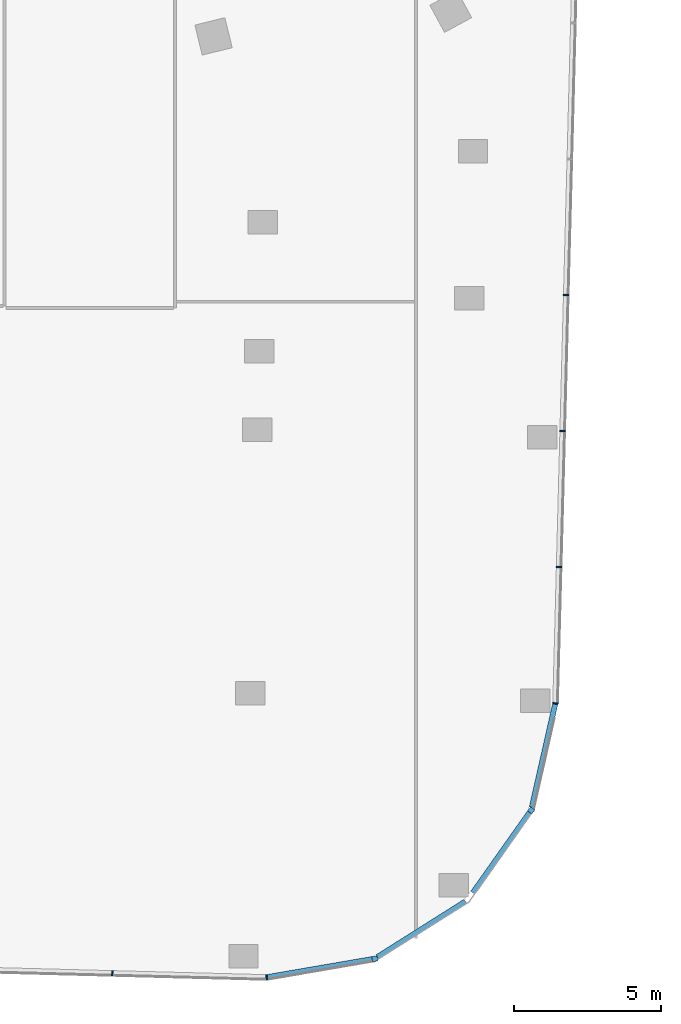
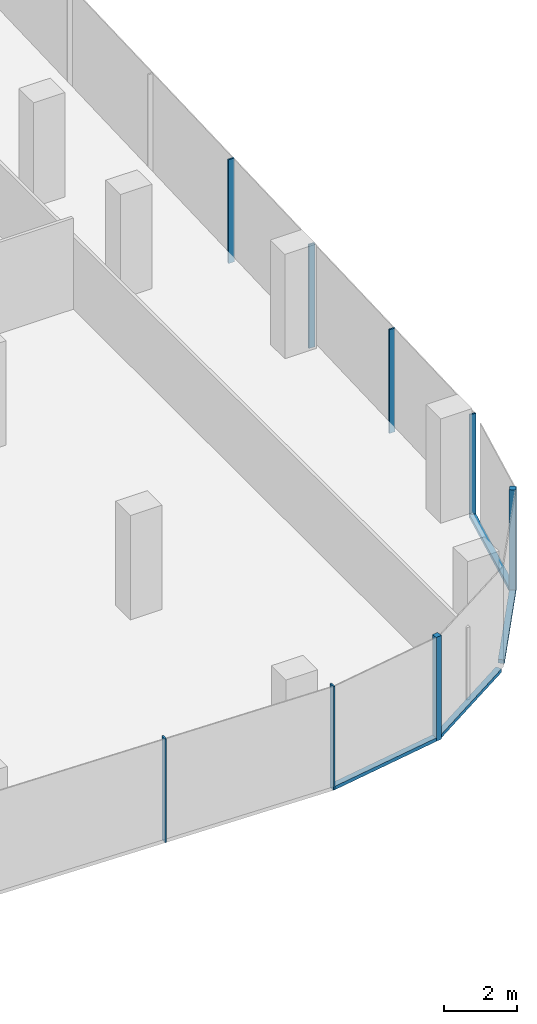
# One storey, part 5 of 26: 12 members, 6 elements without a shape of their own.
"""IFC4 building model written with IfcOpenShell, lengths in metres."""

import ifcopenshell
import ifcopenshell.guid

model = None  # the IFC model being written
_history = None  # IfcOwnerHistory: only IFC2X3 demands one
_inside = {}  # id of a spatial element -> (the spatial element, [elements in it])
_under = {}  # id of a project, library or spatial element -> (it, [spatial elements below it])
_declared = {}  # id of a project -> (the project, [libraries it declares])
_typed = {}  # id of a type object -> (the type object, [elements of that type])
_made_of = {}  # id of a material, layer set ... -> (it, [elements and type objects made of it])


def new_model(schema):
    """Start an empty IFC model of exactly this schema.

    Asked for "IFC4X3", IfcOpenShell would pick the latest addendum, in which some entities
    have other attributes; the version numbers below select the first issue.
    IFC2X3 requires an IfcOwnerHistory on every rooted entity: one is made here for all.
    """
    global model, _history
    if schema == "IFC4X3":
        model = ifcopenshell.file(schema_version=(4, 3, 0, 0))
    else:
        model = ifcopenshell.file(schema=schema)
    _inside.clear()
    _under.clear()
    _declared.clear()
    _typed.clear()
    _made_of.clear()
    _history = None
    if model.schema == "IFC2X3":
        org = make("IfcOrganization", Name="unknown")
        user = make(
            "IfcPersonAndOrganization",
            ThePerson=make("IfcPerson", FamilyName="unknown"),
            TheOrganization=org,
        )
        app = make(
            "IfcApplication",
            ApplicationDeveloper=org,
            Version="unknown",
            ApplicationFullName="unknown",
            ApplicationIdentifier="unknown",
        )
        _history = make(
            "IfcOwnerHistory",
            OwningUser=user,
            OwningApplication=app,
            ChangeAction="ADDED",
            CreationDate=0,
        )
    return model


def make(cls, **values):
    """One entity of the class cls with the attributes given. An attribute that is None is left unset."""
    return model.create_entity(
        cls, **{name: value for name, value in values.items() if value is not None}
    )


def rooted(cls, **values):
    """An entity with a GlobalId (a new one), such as an element, a storey or a relation."""
    return make(cls, GlobalId=ifcopenshell.guid.new(), OwnerHistory=_history, **values)


def si_unit(unit_type, name, prefix=None):
    """IfcSIUnit, for example si_unit("LENGTHUNIT", "METRE", prefix="MILLI")."""
    return make("IfcSIUnit", UnitType=unit_type, Prefix=prefix, Name=name)


def assignment(units):
    """IfcUnitAssignment: the units of a project."""
    return None if units is None else make("IfcUnitAssignment", Units=units)


def point(xyz):
    """IfcCartesianPoint."""
    return None if xyz is None else make("IfcCartesianPoint", Coordinates=xyz)


def direction(xyz):
    """IfcDirection."""
    return None if xyz is None else make("IfcDirection", DirectionRatios=xyz)


def frame(location, z_axis=None, x_axis=None):
    """IfcAxis2Placement3D, a coordinate frame: its origin and axes. An axis left out is left unset."""
    return make(
        "IfcAxis2Placement3D",
        Location=point(location),
        Axis=direction(z_axis),
        RefDirection=direction(x_axis),
    )


def frame_2d(location, x_axis=None):
    """IfcAxis2Placement2D, a coordinate frame in the plane: its origin and x axis."""
    return make(
        "IfcAxis2Placement2D", Location=point(location), RefDirection=direction(x_axis)
    )


def origin():
    """The frame at (0, 0, 0) with its axes left unset."""
    return frame((0.0, 0.0, 0.0))


def origin_2d():
    """The frame at (0, 0) in the plane with its x axis left unset."""
    return frame_2d((0.0, 0.0))


def place(relative_to, where):
    """IfcLocalPlacement: puts the frame where relative to a parent placement (None: the world)."""
    return make(
        "IfcLocalPlacement", PlacementRelTo=relative_to, RelativePlacement=where
    )


def context(
    kind, dimensions, precision=None, world=None, true_north=None, identifier=None
):
    """IfcGeometricRepresentationContext, for example the 3D "Model" context."""
    return make(
        "IfcGeometricRepresentationContext",
        ContextIdentifier=identifier,
        ContextType=kind,
        CoordinateSpaceDimension=dimensions,
        Precision=precision,
        WorldCoordinateSystem=world,
        TrueNorth=true_north,
    )


def subcontext(parent, identifier, kind, view, scale=None):
    """IfcGeometricRepresentationSubContext, for example "Body" below "Model"."""
    return make(
        "IfcGeometricRepresentationSubContext",
        ContextIdentifier=identifier,
        ContextType=kind,
        ParentContext=parent,
        TargetScale=scale,
        TargetView=view,
    )


def project(units=None, contexts=None):
    """IfcProject with its units and contexts."""
    return rooted(
        "IfcProject",
        Name="project",
        RepresentationContexts=contexts,
        UnitsInContext=assignment(units),
    )


def spatial(cls, under=None, at=None, **own):
    """A site, building, storey or space (cls), placed at a placement, below another one or the project."""
    s = rooted(cls, ObjectPlacement=at, **own)
    if under is not None:
        _under.setdefault(under.id(), (under, []))[1].append(s)
    return s


def profile(cls, at=None, kind="AREA", **sizes):
    """A parametric profile (cls). Its sizes go by their IFC names, for example OverallWidth=200.0."""
    return make(cls, ProfileType=kind, Position=at, **sizes)


def rectangle(**sizes):
    """IfcRectangleProfileDef."""
    return profile("IfcRectangleProfileDef", **sizes)


def extrude(swept, where, along, depth):
    """IfcExtrudedAreaSolid: the profile swept, set in the frame where, extruded along a direction by depth."""
    return make(
        "IfcExtrudedAreaSolid",
        SweptArea=swept,
        Position=where,
        ExtrudedDirection=direction(along),
        Depth=depth,
    )


def shape(context_of_items, identifier, shape_type, items):
    """IfcShapeRepresentation: the items that make up one representation, for example the "Body"."""
    return make(
        "IfcShapeRepresentation",
        ContextOfItems=context_of_items,
        RepresentationIdentifier=identifier,
        RepresentationType=shape_type,
        Items=items,
    )


def material(Name=None, Category=None):
    """IfcMaterial."""
    return make("IfcMaterial", Name=Name, Category=Category)


def material_profile(
    of_material, cross_section, Name=None, Category=None, Priority=None
):
    """IfcMaterialProfile: a cross section and its material."""
    return make(
        "IfcMaterialProfile",
        Name=Name,
        Material=of_material,
        Profile=cross_section,
        Priority=Priority,
        Category=Category,
    )


def profile_set(profiles, Name=None, composite=None):
    """IfcMaterialProfileSet."""
    return make(
        "IfcMaterialProfileSet",
        Name=Name,
        MaterialProfiles=profiles,
        CompositeProfile=composite,
    )


def made_of(thing, what):
    """Note that an element or type object is made of a material, layer set ...; save() writes the relation."""
    if what is not None:
        _made_of.setdefault(what.id(), (what, []))[1].append(thing)
    return thing


def type_object(cls, material=None, **own):
    """A type object (cls), such as IfcWallType, which elements share."""
    return made_of(rooted(cls, **own), material)


def element(
    cls,
    number,
    at=None,
    inside=None,
    cuts=None,
    type_object=None,
    material=None,
    context=None,
    identifier="Body",
    shape_type=None,
    held_by="IfcProductDefinitionShape",
    body=None,
    shapes=None,
    **own,
):
    """One element of the class cls, such as IfcWall. Its Tag is "e" and its number.

    at: its placement. inside: the storey or other place that contains it. cuts: it is an
    opening in that element (IfcRelVoidsElement). A single representation is given by context,
    identifier, shape_type and body (its items); several are given by shapes. held_by: the class
    of the entity that holds the representations. save() writes the other relations.
    """
    e = rooted(cls, Tag="e%d" % number, ObjectPlacement=at, **own)
    if body is not None:
        shapes = [shape(context, identifier, shape_type, body)]
    if shapes is not None:
        e.Representation = make(held_by, Representations=shapes)
    if inside is not None:
        _inside.setdefault(inside.id(), (inside, []))[1].append(e)
    if cuts is not None:
        rooted(
            "IfcRelVoidsElement", RelatingBuildingElement=cuts, RelatedOpeningElement=e
        )
    if type_object is not None:
        _typed.setdefault(type_object.id(), (type_object, []))[1].append(e)
    return made_of(e, material)


def aggregate(whole, parts):
    """IfcRelAggregates: a whole, such as a stair, and the parts it consists of."""
    return rooted("IfcRelAggregates", RelatingObject=whole, RelatedObjects=parts)


def save(model, path):
    """Write the relations noted so far, then the file.

    IfcRelAggregates (storeys below a building ...), IfcRelContainedInSpatialStructure (elements
    in a storey), IfcRelDefinesByType, IfcRelAssociatesMaterial and IfcRelDeclares: one each for
    every whole, place, type object, material and project.
    """
    for whole, parts in _under.values():
        aggregate(whole, parts)
    for where, things in _inside.values():
        rooted(
            "IfcRelContainedInSpatialStructure",
            RelatedElements=things,
            RelatingStructure=where,
        )
    for kind, things in _typed.values():
        rooted("IfcRelDefinesByType", RelatedObjects=things, RelatingType=kind)
    for what, things in _made_of.values():
        rooted("IfcRelAssociatesMaterial", RelatedObjects=things, RelatingMaterial=what)
    for by, libraries in _declared.values():
        rooted("IfcRelDeclares", RelatingContext=by, RelatedDefinitions=libraries)
    model.write(path)


model = new_model("IFC4")

# Units and contexts
model_context = context("Model", 3, precision=1e-05, world=origin(), true_north=direction((0.0, 1.0)))
body_context = subcontext(model_context, "Body", "Model", "MODEL_VIEW")
ifc_project = project(units=[si_unit("LENGTHUNIT", "METRE"), si_unit("AREAUNIT", "SQUARE_METRE"), si_unit("VOLUMEUNIT", "CUBIC_METRE"), si_unit("PLANEANGLEUNIT", "RADIAN"), si_unit("MASSUNIT", "GRAM", prefix="KILO")], contexts=[model_context])

# Site, building, storey
site_placement = place(None, origin())
site = spatial("IfcSite", under=ifc_project, at=site_placement, CompositionType="ELEMENT")
building_placement = place(site_placement, origin())
building = spatial("IfcBuilding", under=site, at=building_placement, Name="Orlundy Tower", CompositionType="ELEMENT")
storey_placement = place(building_placement, frame((0.0, 0.0, 214.0)))
storey = spatial("IfcBuildingStorey", under=building, at=storey_placement, Name="L56", CompositionType="ELEMENT", Elevation=214.0)

# Curtain wall, member
ifc_material_1 = material(Name="Aluminium bronze anodised", Category="aluminium")
curtain_wall_type = type_object("IfcCurtainWallType", Name="CW1 wall", PredefinedType="NOTDEFINED", material=ifc_material_1)
curtain_wall_1_placement = place(storey_placement, origin())
curtain_wall_1 = element("IfcCurtainWall", 1, at=curtain_wall_1_placement, inside=storey, type_object=curtain_wall_type, Name="CW1 run 020", PredefinedType="NOTDEFINED")
ifc_material_2 = material(Name="Aluminium bronze anodised", Category="aluminium")
ifc_material_profile_1 = material_profile(ifc_material_2, rectangle(XDim=0.179931640625, YDim=0.179931640625, at=origin_2d()), Name="CW1 corner post 180x180")
ifc_profile_set_1 = profile_set([ifc_material_profile_1], Name="Aluminium bronze anodised")
member_type_1 = type_object("IfcMemberType", Name="CW1 corner post 180x180", PredefinedType="MULLION", material=ifc_profile_set_1)
member_1_placement = place(storey_placement, frame((17.923828125, -55.158203125, -0.39990234375), z_axis=(0.0, 0.0, 1.0), x_axis=(0.816676153518, -0.577096231381, 0.0)))
member_1 = element("IfcMember", 2, at=member_1_placement, type_object=member_type_1, Name="CW1 mullion 50", PredefinedType="MULLION", context=body_context, shape_type="SweptSolid", body=[
    extrude(rectangle(XDim=0.179931640625, YDim=0.179931640625, at=origin_2d()), origin(), (0.0, 0.0, 1.0), 3.47998046875),
])

curtain_wall_2_placement = place(storey_placement, origin())
curtain_wall_2 = element("IfcCurtainWall", 3, at=curtain_wall_2_placement, inside=storey, type_object=curtain_wall_type, Name="CW1 run 022", PredefinedType="NOTDEFINED")
member_2_placement = place(storey_placement, frame((12.598876953125, -60.211669921875, -0.39990234375), z_axis=(0.0, 0.0, 1.0), x_axis=(0.169428066085, -0.985542556373, 0.0)))
member_2 = element("IfcMember", 4, at=member_2_placement, type_object=member_type_1, Name="CW1 mullion 52", PredefinedType="MULLION", context=body_context, shape_type="SweptSolid", body=[
    extrude(rectangle(XDim=0.179931640625, YDim=0.179931640625, at=origin_2d()), origin(), (0.0, 0.0, 1.0), 3.47998046875),
])

# Curtain wall, members
curtain_wall_3_placement = place(storey_placement, origin())
curtain_wall_3 = element("IfcCurtainWall", 5, at=curtain_wall_3_placement, inside=storey, type_object=curtain_wall_type, Name="CW1 run 018", PredefinedType="NOTDEFINED")
ifc_material_3 = material(Name="Aluminium bronze anodised", Category="aluminium")
ifc_material_profile_2 = material_profile(ifc_material_3, rectangle(XDim=0.179931640625, YDim=0.050048828125, at=origin_2d()), Name="CW1 mullion 50x180")
ifc_profile_set_2 = profile_set([ifc_material_profile_2], Name="Aluminium bronze anodised")
member_type_2 = type_object("IfcMemberType", Name="CW1 mullion 50x180", PredefinedType="MULLION", material=ifc_profile_set_2)
member_3_placement = place(storey_placement, frame((19.111572265625, -37.620849609375, -0.39990234375), z_axis=(0.0, 0.0, 1.0), x_axis=(0.999657620616, -0.026165655813, 0.0)))
member_3 = element("IfcMember", 6, at=member_3_placement, type_object=member_type_2, Name="CW1 mullion 46", PredefinedType="MULLION", context=body_context, shape_type="SweptSolid", body=[
    extrude(rectangle(XDim=0.179931640625, YDim=0.050048828125, at=origin_2d()), origin(), (0.0, 0.0, 1.0), 3.47998046875),
])
member_4_placement = place(storey_placement, frame((18.990234375, -42.25, -0.39990234375), z_axis=(0.0, 0.0, 1.0), x_axis=(0.999657620616, -0.026165655813, 0.0)))
member_4 = element("IfcMember", 7, at=member_4_placement, type_object=member_type_2, Name="CW1 mullion 47", PredefinedType="MULLION", context=body_context, shape_type="SweptSolid", body=[
    extrude(rectangle(XDim=0.179931640625, YDim=0.050048828125, at=origin_2d()), origin(), (0.0, 0.0, 1.0), 3.47998046875),
])
member_5_placement = place(storey_placement, frame((18.869140625, -46.879150390625, -0.39990234375), z_axis=(0.0, 0.0, 1.0), x_axis=(0.999657620616, -0.026165655813, 0.0)))
member_5 = element("IfcMember", 8, at=member_5_placement, type_object=member_type_2, Name="CW1 mullion 48", PredefinedType="MULLION", context=body_context, shape_type="SweptSolid", body=[
    extrude(rectangle(XDim=0.179931640625, YDim=0.050048828125, at=origin_2d()), origin(), (0.0, 0.0, 1.0), 3.47998046875),
])
aggregate(curtain_wall_3, [member_3, member_4, member_5])

# Curtain wall, member
curtain_wall_4_placement = place(storey_placement, origin())
curtain_wall_4 = element("IfcCurtainWall", 9, at=curtain_wall_4_placement, inside=storey, type_object=curtain_wall_type, Name="CW1 run 019", PredefinedType="NOTDEFINED")
member_6_placement = place(storey_placement, frame((18.747802734375, -51.517333984375, -0.39990234375), z_axis=(0.0, 0.0, 1.0), x_axis=(0.992278465577, -0.124030023589, 0.0)))
member_6 = element("IfcMember", 10, at=member_6_placement, type_object=member_type_2, Name="CW1 mullion 49", PredefinedType="MULLION", context=body_context, shape_type="SweptSolid", body=[
    extrude(rectangle(XDim=0.179931640625, YDim=0.050048828125, at=origin_2d()), origin(), (0.0, 0.0, 1.0), 3.47998046875),
])

# Curtain wall, members
curtain_wall_5_placement = place(storey_placement, origin())
curtain_wall_5 = element("IfcCurtainWall", 11, at=curtain_wall_5_placement, inside=storey, type_object=curtain_wall_type, Name="CW1 run 023", PredefinedType="NOTDEFINED")
member_7_placement = place(storey_placement, frame((8.91943359375, -60.84423828125, -0.39990234375), z_axis=(0.0, 0.0, 1.0), x_axis=(0.071965784853, -0.997407101344, 0.0)))
member_7 = element("IfcMember", 12, at=member_7_placement, type_object=member_type_2, Name="CW1 mullion 53", PredefinedType="MULLION", context=body_context, shape_type="SweptSolid", body=[
    extrude(rectangle(XDim=0.179931640625, YDim=0.050048828125, at=origin_2d()), origin(), (0.0, 0.0, 1.0), 3.47998046875),
])
member_8_placement = place(storey_placement, frame((3.662353515625, -60.70654296875, -0.39990234375), z_axis=(0.0, 0.0, 1.0), x_axis=(-0.026190222342, -0.999656977295, 0.0)))
member_8 = element("IfcMember", 13, at=member_8_placement, type_object=member_type_2, Name="CW1 mullion 54", PredefinedType="MULLION", context=body_context, shape_type="SweptSolid", body=[
    extrude(rectangle(XDim=0.179931640625, YDim=0.050048828125, at=origin_2d()), origin(), (0.0, 0.0, 1.0), 3.47998046875),
])
aggregate(curtain_wall_5, [member_7, member_8])

# Member
ifc_material_4 = material(Name="Aluminium bronze anodised", Category="aluminium")
ifc_material_profile_3 = material_profile(ifc_material_4, rectangle(XDim=0.179931640625, YDim=0.1201171875, at=origin_2d()), Name="CW1 transom 180x120")
ifc_profile_set_3 = profile_set([ifc_material_profile_3], Name="Aluminium bronze anodised")
member_type_3 = type_object("IfcMemberType", Name="CW1 transom 180x120", PredefinedType="USERDEFINED", material=ifc_profile_set_3)
member_9_placement = place(storey_placement, frame((18.7421875, -51.541748046875, -0.340087890625), z_axis=(-0.220709143536, -0.975339671068, 0.0), x_axis=(0.975339671068, -0.220709143536, 0.0)))
member_9 = element("IfcMember", 14, at=member_9_placement, type_object=member_type_3, Name="CW1 transom", ObjectType="TRANSOM", PredefinedType="USERDEFINED", context=body_context, shape_type="SweptSolid", body=[
    extrude(rectangle(XDim=0.179931640625, YDim=0.1201171875, at=origin_2d()), origin(), (0.0, 0.0, 1.0), 3.610595703125),
])

aggregate(curtain_wall_4, [member_6, member_9])

member_10_placement = place(storey_placement, frame((17.871826171875, -55.23193359375, -0.340087890625), z_axis=(-0.577109330829, -0.816666896764, 0.0), x_axis=(0.816666896764, -0.577109330829, 0.0)))
member_10 = element("IfcMember", 15, at=member_10_placement, type_object=member_type_3, Name="CW1 transom", ObjectType="TRANSOM", PredefinedType="USERDEFINED", context=body_context, shape_type="SweptSolid", body=[
    extrude(rectangle(XDim=0.179931640625, YDim=0.1201171875, at=origin_2d()), origin(), (0.0, 0.0, 1.0), 3.350830078125),
])

aggregate(curtain_wall_1, [member_1, member_10])

# Curtain wall, member
curtain_wall_6_placement = place(storey_placement, origin())
curtain_wall_6 = element("IfcCurtainWall", 16, at=curtain_wall_6_placement, inside=storey, type_object=curtain_wall_type, Name="CW1 run 021", PredefinedType="NOTDEFINED")
member_11_placement = place(storey_placement, frame((15.6875, -58.262939453125, -0.340087890625), z_axis=(-0.845745035609, -0.533587232552, 0.0), x_axis=(0.533587232552, -0.845745035609, 0.0)))
member_11 = element("IfcMember", 17, at=member_11_placement, type_object=member_type_3, Name="CW1 transom", ObjectType="TRANSOM", PredefinedType="USERDEFINED", context=body_context, shape_type="SweptSolid", body=[
    extrude(rectangle(XDim=0.179931640625, YDim=0.1201171875, at=origin_2d()), origin(), (0.0, 0.0, 1.0), 3.5546875),
])
aggregate(curtain_wall_6, [member_11])

# Member
member_12_placement = place(storey_placement, frame((12.51025390625, -60.226806640625, -0.340087890625), z_axis=(-0.985542201678, -0.16943012929, 0.0), x_axis=(0.16943012929, -0.985542201678, 0.0)))
member_12 = element("IfcMember", 18, at=member_12_placement, type_object=member_type_3, Name="CW1 transom", ObjectType="TRANSOM", PredefinedType="USERDEFINED", context=body_context, shape_type="SweptSolid", body=[
    extrude(rectangle(XDim=0.179931640625, YDim=0.1201171875, at=origin_2d()), origin(), (0.0, 0.0, 1.0), 3.6181640625),
])

aggregate(curtain_wall_2, [member_2, member_12])

save(model, "model.ifc")
